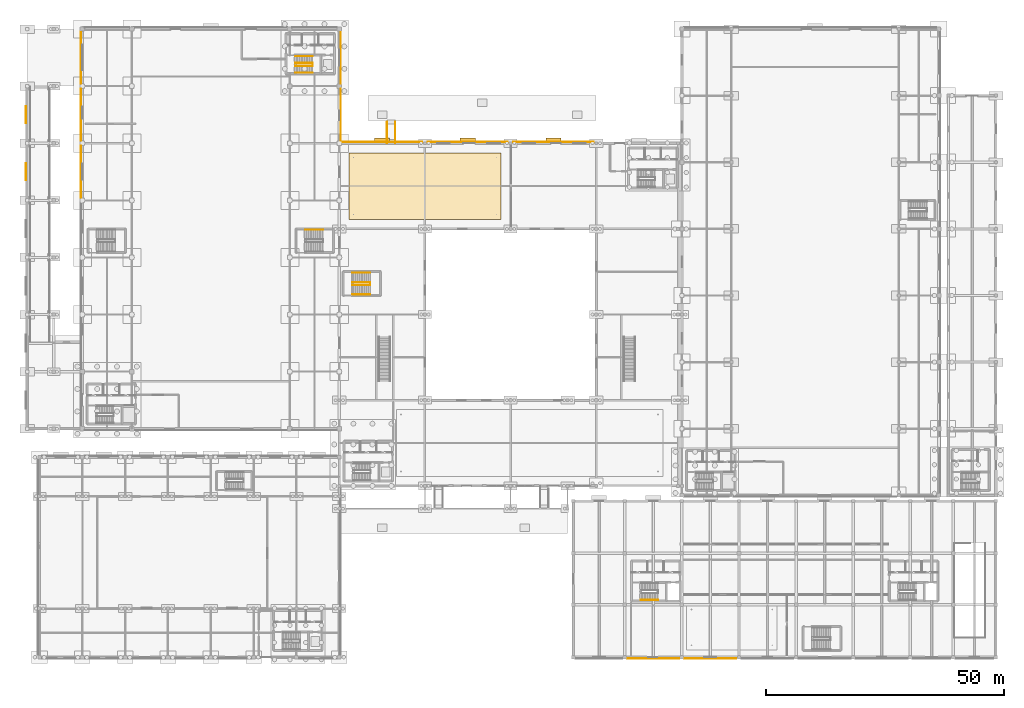
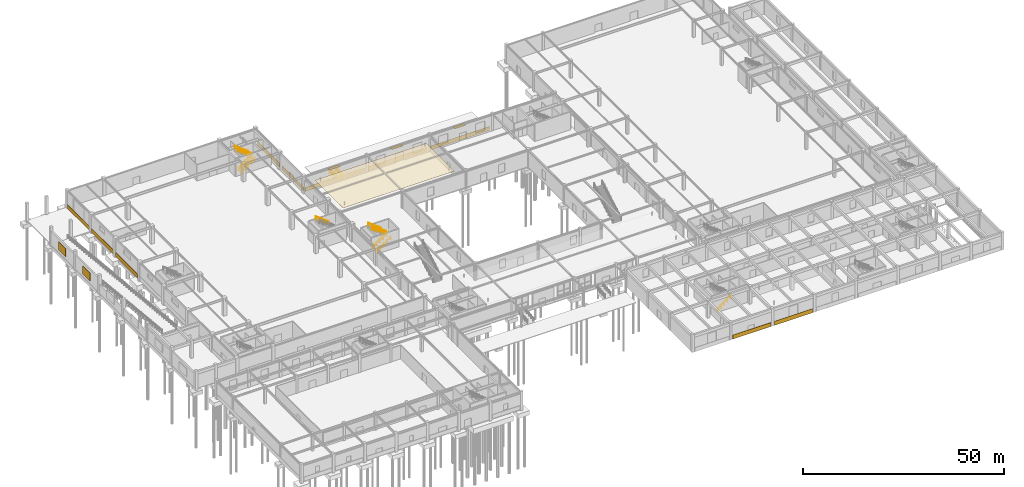
# One storey, part 50 of 53: 11 coverings, 10 railings, 5 shading devices.
"""IFC4 building model written with IfcOpenShell, lengths in metres."""

import ifcopenshell
import ifcopenshell.guid

model = None  # the IFC model being written
_history = None  # IfcOwnerHistory: only IFC2X3 demands one
_inside = {}  # id of a spatial element -> (the spatial element, [elements in it])
_under = {}  # id of a project, library or spatial element -> (it, [spatial elements below it])
_declared = {}  # id of a project -> (the project, [libraries it declares])
_typed = {}  # id of a type object -> (the type object, [elements of that type])
_made_of = {}  # id of a material, layer set ... -> (it, [elements and type objects made of it])


def new_model(schema):
    """Start an empty IFC model of exactly this schema.

    Asked for "IFC4X3", IfcOpenShell would pick the latest addendum, in which some entities
    have other attributes; the version numbers below select the first issue.
    IFC2X3 requires an IfcOwnerHistory on every rooted entity: one is made here for all.
    """
    global model, _history
    if schema == "IFC4X3":
        model = ifcopenshell.file(schema_version=(4, 3, 0, 0))
    else:
        model = ifcopenshell.file(schema=schema)
    _inside.clear()
    _under.clear()
    _declared.clear()
    _typed.clear()
    _made_of.clear()
    _history = None
    if model.schema == "IFC2X3":
        org = make("IfcOrganization", Name="unknown")
        user = make(
            "IfcPersonAndOrganization",
            ThePerson=make("IfcPerson", FamilyName="unknown"),
            TheOrganization=org,
        )
        app = make(
            "IfcApplication",
            ApplicationDeveloper=org,
            Version="unknown",
            ApplicationFullName="unknown",
            ApplicationIdentifier="unknown",
        )
        _history = make(
            "IfcOwnerHistory",
            OwningUser=user,
            OwningApplication=app,
            ChangeAction="ADDED",
            CreationDate=0,
        )
    return model


def make(cls, **values):
    """One entity of the class cls with the attributes given. An attribute that is None is left unset."""
    return model.create_entity(
        cls, **{name: value for name, value in values.items() if value is not None}
    )


def rooted(cls, **values):
    """An entity with a GlobalId (a new one), such as an element, a storey or a relation."""
    return make(cls, GlobalId=ifcopenshell.guid.new(), OwnerHistory=_history, **values)


def si_unit(unit_type, name, prefix=None):
    """IfcSIUnit, for example si_unit("LENGTHUNIT", "METRE", prefix="MILLI")."""
    return make("IfcSIUnit", UnitType=unit_type, Prefix=prefix, Name=name)


def derived_unit(unit_type, elements):
    """IfcDerivedUnit: a product of units, each with its exponent."""
    return make(
        "IfcDerivedUnit",
        Elements=[
            make("IfcDerivedUnitElement", Unit=unit, Exponent=power)
            for unit, power in elements
        ],
        UnitType=unit_type,
    )


def assignment(units):
    """IfcUnitAssignment: the units of a project."""
    return None if units is None else make("IfcUnitAssignment", Units=units)


def point(xyz):
    """IfcCartesianPoint."""
    return None if xyz is None else make("IfcCartesianPoint", Coordinates=xyz)


def direction(xyz):
    """IfcDirection."""
    return None if xyz is None else make("IfcDirection", DirectionRatios=xyz)


def frame(location, z_axis=None, x_axis=None):
    """IfcAxis2Placement3D, a coordinate frame: its origin and axes. An axis left out is left unset."""
    return make(
        "IfcAxis2Placement3D",
        Location=point(location),
        Axis=direction(z_axis),
        RefDirection=direction(x_axis),
    )


def frame_2d(location, x_axis=None):
    """IfcAxis2Placement2D, a coordinate frame in the plane: its origin and x axis."""
    return make(
        "IfcAxis2Placement2D", Location=point(location), RefDirection=direction(x_axis)
    )


def origin():
    """The frame at (0, 0, 0) with its axes left unset."""
    return frame((0.0, 0.0, 0.0))


def origin_2d():
    """The frame at (0, 0) in the plane with its x axis left unset."""
    return frame_2d((0.0, 0.0))


def place(relative_to, where):
    """IfcLocalPlacement: puts the frame where relative to a parent placement (None: the world)."""
    return make(
        "IfcLocalPlacement", PlacementRelTo=relative_to, RelativePlacement=where
    )


def context(
    kind, dimensions, precision=None, world=None, true_north=None, identifier=None
):
    """IfcGeometricRepresentationContext, for example the 3D "Model" context."""
    return make(
        "IfcGeometricRepresentationContext",
        ContextIdentifier=identifier,
        ContextType=kind,
        CoordinateSpaceDimension=dimensions,
        Precision=precision,
        WorldCoordinateSystem=world,
        TrueNorth=true_north,
    )


def subcontext(parent, identifier, kind, view, scale=None):
    """IfcGeometricRepresentationSubContext, for example "Body" below "Model"."""
    return make(
        "IfcGeometricRepresentationSubContext",
        ContextIdentifier=identifier,
        ContextType=kind,
        ParentContext=parent,
        TargetScale=scale,
        TargetView=view,
    )


def project(units=None, contexts=None):
    """IfcProject with its units and contexts."""
    return rooted(
        "IfcProject",
        Name="project",
        RepresentationContexts=contexts,
        UnitsInContext=assignment(units),
    )


def spatial(cls, under=None, at=None, **own):
    """A site, building, storey or space (cls), placed at a placement, below another one or the project."""
    s = rooted(cls, ObjectPlacement=at, **own)
    if under is not None:
        _under.setdefault(under.id(), (under, []))[1].append(s)
    return s


def polyline(points):
    """IfcPolyline through the points."""
    return make("IfcPolyline", Points=[point(p) for p in points])


def profile(cls, at=None, kind="AREA", **sizes):
    """A parametric profile (cls). Its sizes go by their IFC names, for example OverallWidth=200.0."""
    return make(cls, ProfileType=kind, Position=at, **sizes)


def rectangle(**sizes):
    """IfcRectangleProfileDef."""
    return profile("IfcRectangleProfileDef", **sizes)


def circle(**sizes):
    """IfcCircleProfileDef."""
    return profile("IfcCircleProfileDef", **sizes)


def outline(outer, holes=None, kind="AREA"):
    """IfcArbitraryClosedProfileDef: a profile drawn as a closed curve; with holes, ...WithVoids."""
    if holes is None:
        return make("IfcArbitraryClosedProfileDef", ProfileType=kind, OuterCurve=outer)
    return make(
        "IfcArbitraryProfileDefWithVoids",
        ProfileType=kind,
        OuterCurve=outer,
        InnerCurves=holes,
    )


def extrude(swept, where, along, depth):
    """IfcExtrudedAreaSolid: the profile swept, set in the frame where, extruded along a direction by depth."""
    return make(
        "IfcExtrudedAreaSolid",
        SweptArea=swept,
        Position=where,
        ExtrudedDirection=direction(along),
        Depth=depth,
    )


def shape(context_of_items, identifier, shape_type, items):
    """IfcShapeRepresentation: the items that make up one representation, for example the "Body"."""
    return make(
        "IfcShapeRepresentation",
        ContextOfItems=context_of_items,
        RepresentationIdentifier=identifier,
        RepresentationType=shape_type,
        Items=items,
    )


def material(Name=None, Category=None):
    """IfcMaterial."""
    return make("IfcMaterial", Name=Name, Category=Category)


def layer(
    of_material, thickness, ventilated=None, Name=None, Category=None, Priority=None
):
    """IfcMaterialLayer: one layer of a wall or slab, of a material (None: an air gap)."""
    return make(
        "IfcMaterialLayer",
        Material=of_material,
        LayerThickness=thickness,
        IsVentilated=ventilated,
        Name=Name,
        Category=Category,
        Priority=Priority,
    )


def layer_set(layers, Name=None):
    """IfcMaterialLayerSet."""
    return make("IfcMaterialLayerSet", MaterialLayers=layers, LayerSetName=Name)


def made_of(thing, what):
    """Note that an element or type object is made of a material, layer set ...; save() writes the relation."""
    if what is not None:
        _made_of.setdefault(what.id(), (what, []))[1].append(thing)
    return thing


def type_object(cls, material=None, **own):
    """A type object (cls), such as IfcWallType, which elements share."""
    return made_of(rooted(cls, **own), material)


def element(
    cls,
    number,
    at=None,
    inside=None,
    cuts=None,
    type_object=None,
    material=None,
    context=None,
    identifier="Body",
    shape_type=None,
    held_by="IfcProductDefinitionShape",
    body=None,
    shapes=None,
    **own,
):
    """One element of the class cls, such as IfcWall. Its Tag is "e" and its number.

    at: its placement. inside: the storey or other place that contains it. cuts: it is an
    opening in that element (IfcRelVoidsElement). A single representation is given by context,
    identifier, shape_type and body (its items); several are given by shapes. held_by: the class
    of the entity that holds the representations. save() writes the other relations.
    """
    e = rooted(cls, Tag="e%d" % number, ObjectPlacement=at, **own)
    if body is not None:
        shapes = [shape(context, identifier, shape_type, body)]
    if shapes is not None:
        e.Representation = make(held_by, Representations=shapes)
    if inside is not None:
        _inside.setdefault(inside.id(), (inside, []))[1].append(e)
    if cuts is not None:
        rooted(
            "IfcRelVoidsElement", RelatingBuildingElement=cuts, RelatedOpeningElement=e
        )
    if type_object is not None:
        _typed.setdefault(type_object.id(), (type_object, []))[1].append(e)
    return made_of(e, material)


def aggregate(whole, parts):
    """IfcRelAggregates: a whole, such as a stair, and the parts it consists of."""
    return rooted("IfcRelAggregates", RelatingObject=whole, RelatedObjects=parts)


def save(model, path):
    """Write the relations noted so far, then the file.

    IfcRelAggregates (storeys below a building ...), IfcRelContainedInSpatialStructure (elements
    in a storey), IfcRelDefinesByType, IfcRelAssociatesMaterial and IfcRelDeclares: one each for
    every whole, place, type object, material and project.
    """
    for whole, parts in _under.values():
        aggregate(whole, parts)
    for where, things in _inside.values():
        rooted(
            "IfcRelContainedInSpatialStructure",
            RelatedElements=things,
            RelatingStructure=where,
        )
    for kind, things in _typed.values():
        rooted("IfcRelDefinesByType", RelatedObjects=things, RelatingType=kind)
    for what, things in _made_of.values():
        rooted("IfcRelAssociatesMaterial", RelatedObjects=things, RelatingMaterial=what)
    for by, libraries in _declared.values():
        rooted("IfcRelDeclares", RelatingContext=by, RelatedDefinitions=libraries)
    model.write(path)


model = new_model("IFC4")

# Units and contexts
model_context = context("Model", 3, precision=1e-05, world=origin(), true_north=direction((0.0, 1.0)))
body_context = subcontext(model_context, "Body", "Model", "MODEL_VIEW")
ifc_project = project(units=[si_unit("LENGTHUNIT", "METRE"), si_unit("AREAUNIT", "SQUARE_METRE"), si_unit("VOLUMEUNIT", "CUBIC_METRE"), si_unit("PLANEANGLEUNIT", "RADIAN"), si_unit("MASSUNIT", "GRAM", prefix="KILO"), derived_unit("THERMALTRANSMITTANCEUNIT", [(si_unit("POWERUNIT", "WATT"), 1), (si_unit("LENGTHUNIT", "METRE"), -2), (si_unit("THERMODYNAMICTEMPERATUREUNIT", "KELVIN"), -1)])], contexts=[model_context])

# Site, building, storey
site_placement = place(None, origin())
site = spatial("IfcSite", under=ifc_project, at=site_placement, CompositionType="ELEMENT")
building_placement = place(site_placement, origin())
building = spatial("IfcBuilding", under=site, at=building_placement, Name="Almenara Railside Exhibition Hall", CompositionType="ELEMENT")
storey_placement = place(building_placement, origin())
storey = spatial("IfcBuildingStorey", under=building, at=storey_placement, Name="L00", CompositionType="ELEMENT", Elevation=0.0)

# Shading devices
ifc_material_1 = material(Name="Bronze-anodised acoustic aluminium louvre", Category="aluminium")
shading_device_type_1 = type_object("IfcShadingDeviceType", Name="Acoustic Ramp Ventilation Louvre Bank 3600x2400", PredefinedType="JALOUSIE", material=ifc_material_1)
for number, where, z_axis, x_axis, name in (
    (1, (0.132568359375, 102.0, 1.0), (0.0, 0.0, 1.0), (0.0, 1.0, 0.0), "Truck ramp acoustic louvre 0033"),
    (2, (0.132568359375, 114.0, 1.0), (0.0, 0.0, 1.0), (0.0, 1.0, 0.0), "Truck ramp acoustic louvre 0034"),
):
    element("IfcShadingDevice", number, at=place(storey_placement, frame(where, z_axis=z_axis, x_axis=x_axis)), inside=storey, type_object=shading_device_type_1, Name=name, PredefinedType="JALOUSIE", context=body_context, shape_type="SweptSolid", body=[
        extrude(rectangle(XDim=3.60009765625, YDim=0.14990234375, at=origin_2d()), origin(), (0.0, 0.0, 1.0), 2.39990234375),
    ])

# Covering
ifc_material_2 = material(Name="Perforated iroko acoustic timber ceiling", Category="wood")
ifc_layer_1 = layer(ifc_material_2, 0.0400390625, Name="Perforated iroko acoustic timber ceiling")
ifc_layer_set_1 = layer_set([ifc_layer_1], Name="Perforated iroko acoustic timber ceiling")
covering_type_1 = type_object("IfcCoveringType", Name="Acoustic Slatted Timber Ceiling 40mm", PredefinedType="CEILING", material=ifc_layer_set_1)
covering_placement = place(storey_placement, frame((0.0, 0.0, 4.260009765625)))
element("IfcCovering", 3, at=covering_placement, inside=storey, type_object=covering_type_1, Name="Acoustic timber ceiling 002", PredefinedType="CEILING", context=body_context, shape_type="SweptSolid", body=[
    extrude(outline(polyline([(68.0, 92.0), (100.0, 92.0), (100.0, 106.0), (68.0, 106.0), (68.0, 92.0)])), origin(), (0.0, 0.0, 1.0), 0.0400390625),
])

# Shading devices
ifc_material_3 = material(Name="Bronze-anodised aluminium solar brise-soleil", Category="aluminium")
shading_device_type_2 = type_object("IfcShadingDeviceType", Name="North Solar Brise-Soleil Hood 900mm", PredefinedType="USERDEFINED", material=ifc_material_3)
for number, where, z_axis, x_axis, name in (
    (4, (75.0, 108.675048828125, 3.91015625), (0.0, 0.0, 1.0), (-1.0, 0.0, 0.0), "Solar brise-soleil 0010"),
    (5, (93.0, 108.675048828125, 3.91015625), (0.0, 0.0, 1.0), (-1.0, 0.0, 0.0), "Solar brise-soleil 0011"),
    (6, (111.0, 108.675048828125, 3.91015625), (0.0, 0.0, 1.0), (-1.0, 0.0, 0.0), "Solar brise-soleil 0012"),
):
    element("IfcShadingDevice", number, at=place(storey_placement, frame(where, z_axis=z_axis, x_axis=x_axis)), inside=storey, type_object=shading_device_type_2, Name=name, ObjectType="BRISE_SOLEIL", PredefinedType="USERDEFINED", context=body_context, shape_type="SweptSolid", body=[
        extrude(rectangle(XDim=3.199951171875, YDim=0.89990234375, at=origin_2d()), origin(), (0.0, 0.0, 1.0), 0.139892578125),
    ])

# Coverings
ifc_material_4 = material(Name="Koppie quartzite dressed stone cladding", Category="masonry")
ifc_layer_2 = layer(ifc_material_4, 0.080078125, Name="Koppie quartzite dressed stone cladding")
ifc_layer_set_2 = layer_set([ifc_layer_2], Name="Koppie quartzite dressed stone cladding")
covering_type_2 = type_object("IfcCoveringType", Name="Rusticated Koppie Quartzite Plinth Cladding 80mm", PredefinedType="CLADDING", material=ifc_layer_set_2)
for number, where, z_axis, x_axis, name in (
    (7, (11.68994140625, 102.0, 0.0), (0.0, 0.0, 1.0), (0.0, -1.0, 0.0), "Stone plinth cladding 0005"),
    (8, (11.68994140625, 114.0, 0.0), (0.0, 0.0, 1.0), (0.0, -1.0, 0.0), "Stone plinth cladding 0006"),
    (9, (66.31005859375, 114.0, 0.0), (0.0, 0.0, 1.0), (0.0, 1.0, 0.0), "Stone plinth cladding 0007"),
    (10, (11.68994140625, 126.0, 0.0), (0.0, 0.0, 1.0), (0.0, -1.0, 0.0), "Stone plinth cladding 0008"),
    (11, (66.31005859375, 126.0, 0.0), (0.0, 0.0, 1.0), (0.0, 1.0, 0.0), "Stone plinth cladding 0009"),
):
    element("IfcCovering", number, at=place(storey_placement, frame(where, z_axis=z_axis, x_axis=x_axis)), inside=storey, type_object=covering_type_2, Name=name, PredefinedType="CLADDING", context=body_context, shape_type="SweptSolid", body=[
        extrude(rectangle(XDim=10.89990234375, YDim=0.080078125, at=origin_2d()), origin(), (0.0, 0.0, 1.0), 1.199951171875),
    ])
for number, where, z_axis, x_axis, name in (
    (12, (75.0, 108.264892578125, 0.0), (0.0, 0.0, 1.0), (-1.0, 0.0, 0.0), "Stone plinth cladding 0044"),
    (13, (93.0, 108.264892578125, 0.0), (0.0, 0.0, 1.0), (-1.0, 0.0, 0.0), "Stone plinth cladding 0045"),
    (14, (111.0, 108.264892578125, 0.0), (0.0, 0.0, 1.0), (-1.0, 0.0, 0.0), "Stone plinth cladding 0046"),
):
    element("IfcCovering", number, at=place(storey_placement, frame(where, z_axis=z_axis, x_axis=x_axis)), inside=storey, type_object=covering_type_2, Name=name, PredefinedType="CLADDING", context=body_context, shape_type="SweptSolid", body=[
        extrude(rectangle(XDim=16.89990234375, YDim=0.080078125, at=origin_2d()), origin(), (0.0, 0.0, 1.0), 1.199951171875),
    ])
for number, where, z_axis, x_axis, name in (
    (15, (132.0, -0.264892578125, 0.0), (0.0, 0.0, 1.0), (1.0, 0.0, 0.0), "Stone plinth cladding 0048"),
    (16, (144.0, -0.264892578125, 0.0), (0.0, 0.0, 1.0), (1.0, 0.0, 0.0), "Stone plinth cladding 0049"),
):
    element("IfcCovering", number, at=place(storey_placement, frame(where, z_axis=z_axis, x_axis=x_axis)), inside=storey, type_object=covering_type_2, Name=name, PredefinedType="CLADDING", context=body_context, shape_type="SweptSolid", body=[
        extrude(rectangle(XDim=10.89990234375, YDim=0.080078125, at=origin_2d()), origin(), (0.0, 0.0, 1.0), 1.199951171875),
    ])

# Railings
ifc_material_5 = material(Name="Bronze-finished tubular steel handrail", Category="steel")
railing_type_1 = type_object("IfcRailingType", Name="Stair Pitch Handrail 920mm", PredefinedType="HANDRAIL", material=ifc_material_5)
railing_1_placement = place(storey_placement, frame((56.75, 122.800048828125, 0.0)))
element("IfcRailing", 17, at=railing_1_placement, inside=storey, type_object=railing_type_1, Name="HR-L00-0009", PredefinedType="HANDRAIL", context=body_context, shape_type="SweptSolid", body=[
    extrude(circle(Radius=0.02392578125, at=origin_2d()), frame((0.0, 0.0, 0.89599609375), z_axis=(0.803944740431, 0.0, 0.594704005647), x_axis=(0.0, 1.0, 0.0)), (0.0, 0.0, 1.0), 4.5400390625),
    extrude(circle(Radius=0.02099609375, at=origin_2d()), origin(), (0.0, 0.0, 1.0), 0.871826171875),
    extrude(circle(Radius=0.02099609375, at=origin_2d()), frame((0.91259765625, 0.0, 0.675048828125)), (0.0, 0.0, 1.0), 0.871826171875),
    extrude(circle(Radius=0.02099609375, at=origin_2d()), frame((1.824951171875, 0.0, 1.35009765625)), (0.0, 0.0, 1.0), 0.871826171875),
    extrude(circle(Radius=0.02099609375, at=origin_2d()), frame((2.7373046875, 0.0, 2.02490234375)), (0.0, 0.0, 1.0), 0.871826171875),
    extrude(circle(Radius=0.02099609375, at=origin_2d()), frame((3.64990234375, 0.0, 2.699951171875)), (0.0, 0.0, 1.0), 0.871826171875),
])
railing_2_placement = place(storey_placement, frame((60.39990234375, 126.300048828125, 2.699951171875)))
element("IfcRailing", 18, at=railing_2_placement, inside=storey, type_object=railing_type_1, Name="HR-L00-0010", PredefinedType="HANDRAIL", context=body_context, shape_type="SweptSolid", body=[
    extrude(circle(Radius=0.02392578125, at=origin_2d()), frame((0.0, 0.0, 0.89599609375), z_axis=(-0.803944740431, 0.0, 0.594704005647), x_axis=(0.0, -1.0, 0.0)), (0.0, 0.0, 1.0), 4.5400390625),
    extrude(circle(Radius=0.02099609375, at=origin_2d()), origin(), (0.0, 0.0, 1.0), 0.871826171875),
    extrude(circle(Radius=0.02099609375, at=origin_2d()), frame((-0.91259765625, 0.0, 0.675048828125)), (0.0, 0.0, 1.0), 0.871826171875),
    extrude(circle(Radius=0.02099609375, at=origin_2d()), frame((-1.824951171875, 0.0, 1.35009765625)), (0.0, 0.0, 1.0), 0.871826171875),
    extrude(circle(Radius=0.02099609375, at=origin_2d()), frame((-2.7373046875, 0.0, 2.02490234375)), (0.0, 0.0, 1.0), 0.871826171875),
    extrude(circle(Radius=0.02099609375, at=origin_2d()), frame((-3.64990234375, 0.0, 2.699951171875)), (0.0, 0.0, 1.0), 0.871826171875),
])
railing_3_placement = place(storey_placement, frame((129.35009765625, 12.0, 0.0)))
element("IfcRailing", 19, at=railing_3_placement, inside=storey, type_object=railing_type_1, Name="HR-L00-0033", PredefinedType="HANDRAIL", context=body_context, shape_type="SweptSolid", body=[
    extrude(circle(Radius=0.02392578125, at=origin_2d()), frame((0.0, 0.0, 0.89599609375), z_axis=(0.803925720239, 0.0, 0.594729717046), x_axis=(0.0, 1.0, 0.0)), (0.0, 0.0, 1.0), 4.539794921875),
    extrude(circle(Radius=0.02099609375, at=origin_2d()), origin(), (0.0, 0.0, 1.0), 0.871826171875),
    extrude(circle(Radius=0.02099609375, at=origin_2d()), frame((0.912353515625, 0.0, 0.675048828125)), (0.0, 0.0, 1.0), 0.871826171875),
    extrude(circle(Radius=0.02099609375, at=origin_2d()), frame((1.82470703125, 0.0, 1.35009765625)), (0.0, 0.0, 1.0), 0.871826171875),
    extrude(circle(Radius=0.02099609375, at=origin_2d()), frame((2.7373046875, 0.0, 2.02490234375)), (0.0, 0.0, 1.0), 0.871826171875),
    extrude(circle(Radius=0.02099609375, at=origin_2d()), frame((3.649658203125, 0.0, 2.699951171875)), (0.0, 0.0, 1.0), 0.871826171875),
])
railing_4_placement = place(storey_placement, frame((62.6298828125, 89.800048828125, 2.699951171875)))
element("IfcRailing", 20, at=railing_4_placement, inside=storey, type_object=railing_type_1, Name="HR-L00-0094", PredefinedType="HANDRAIL", context=body_context, shape_type="SweptSolid", body=[
    extrude(circle(Radius=0.02392578125, at=origin_2d()), frame((0.0, 0.0, 0.89599609375), z_axis=(-0.813722817161, 0.0, 0.581253109094), x_axis=(0.0, -1.0, 0.0)), (0.0, 0.0, 1.0), 4.64501953125),
    extrude(circle(Radius=0.02099609375, at=origin_2d()), origin(), (0.0, 0.0, 1.0), 0.871826171875),
    extrude(circle(Radius=0.02099609375, at=origin_2d()), frame((-0.94482421875, 0.0, 0.675048828125)), (0.0, 0.0, 1.0), 0.871826171875),
    extrude(circle(Radius=0.02099609375, at=origin_2d()), frame((-1.889892578125, 0.0, 1.35009765625)), (0.0, 0.0, 1.0), 0.871826171875),
    extrude(circle(Radius=0.02099609375, at=origin_2d()), frame((-2.8349609375, 0.0, 2.02490234375)), (0.0, 0.0, 1.0), 0.871826171875),
    extrude(circle(Radius=0.02099609375, at=origin_2d()), frame((-3.77978515625, 0.0, 2.699951171875)), (0.0, 0.0, 1.0), 0.871826171875),
])
railing_5_placement = place(storey_placement, frame((68.75, 76.199951171875, 0.0)))
element("IfcRailing", 21, at=railing_5_placement, inside=storey, type_object=railing_type_1, Name="HR-L00-0101", PredefinedType="HANDRAIL", context=body_context, shape_type="SweptSolid", body=[
    extrude(circle(Radius=0.02392578125, at=origin_2d()), frame((0.0, 0.0, 0.89599609375), z_axis=(0.813740573448, 0.0, 0.581228250453), x_axis=(0.0, 1.0, 0.0)), (0.0, 0.0, 1.0), 4.645263671875),
    extrude(circle(Radius=0.02099609375, at=origin_2d()), origin(), (0.0, 0.0, 1.0), 0.871826171875),
    extrude(circle(Radius=0.02099609375, at=origin_2d()), frame((0.945068359375, 0.0, 0.675048828125)), (0.0, 0.0, 1.0), 0.871826171875),
    extrude(circle(Radius=0.02099609375, at=origin_2d()), frame((1.89013671875, 0.0, 1.35009765625)), (0.0, 0.0, 1.0), 0.871826171875),
    extrude(circle(Radius=0.02099609375, at=origin_2d()), frame((2.8349609375, 0.0, 2.02490234375)), (0.0, 0.0, 1.0), 0.871826171875),
    extrude(circle(Radius=0.02099609375, at=origin_2d()), frame((3.780029296875, 0.0, 2.699951171875)), (0.0, 0.0, 1.0), 0.871826171875),
])
railing_6_placement = place(storey_placement, frame((72.530029296875, 80.800048828125, 2.699951171875)))
element("IfcRailing", 22, at=railing_6_placement, inside=storey, type_object=railing_type_1, Name="HR-L00-0102", PredefinedType="HANDRAIL", context=body_context, shape_type="SweptSolid", body=[
    extrude(circle(Radius=0.02392578125, at=origin_2d()), frame((0.0, 0.0, 0.89599609375), z_axis=(-0.813740573448, 0.0, 0.581228250453), x_axis=(0.0, -1.0, 0.0)), (0.0, 0.0, 1.0), 4.645263671875),
    extrude(circle(Radius=0.02099609375, at=origin_2d()), origin(), (0.0, 0.0, 1.0), 0.871826171875),
    extrude(circle(Radius=0.02099609375, at=origin_2d()), frame((-0.945068359375, 0.0, 0.675048828125)), (0.0, 0.0, 1.0), 0.871826171875),
    extrude(circle(Radius=0.02099609375, at=origin_2d()), frame((-1.89013671875, 0.0, 1.35009765625)), (0.0, 0.0, 1.0), 0.871826171875),
    extrude(circle(Radius=0.02099609375, at=origin_2d()), frame((-2.8349609375, 0.0, 2.02490234375)), (0.0, 0.0, 1.0), 0.871826171875),
    extrude(circle(Radius=0.02099609375, at=origin_2d()), frame((-3.780029296875, 0.0, 2.699951171875)), (0.0, 0.0, 1.0), 0.871826171875),
])
ifc_material_6 = material(Name="Dark wrought-iron stair balustrade")
railing_type_2 = type_object("IfcRailingType", Name="Stair Well Guard Rail 1120mm", PredefinedType="BALUSTRADE", material=ifc_material_6)
railing_7_placement = place(storey_placement, frame((56.75, 124.22998046875, 0.0)))
element("IfcRailing", 23, at=railing_7_placement, inside=storey, type_object=railing_type_2, Name="SG-L00-0011", PredefinedType="BALUSTRADE", context=body_context, shape_type="SweptSolid", body=[
    extrude(circle(Radius=0.02392578125, at=origin_2d()), frame((0.0, 0.0, 1.09619140625), z_axis=(0.803944740431, 0.0, 0.594704005647), x_axis=(0.0, 1.0, 0.0)), (0.0, 0.0, 1.0), 4.5400390625),
    extrude(circle(Radius=0.01416015625, at=origin_2d()), frame((0.0, 0.0, 0.56005859375), z_axis=(0.803944740431, 0.0, 0.594704005647), x_axis=(0.0, 1.0, 0.0)), (0.0, 0.0, 1.0), 4.5400390625),
    extrude(circle(Radius=0.02392578125, at=origin_2d()), frame((3.64990234375, 0.0, 3.7958984375), z_axis=(0.0, 1.0, 0.0), x_axis=(-1.0, 0.0, 0.0)), (0.0, 0.0, 1.0), 0.64013671875),
    extrude(circle(Radius=0.01416015625, at=origin_2d()), frame((3.64990234375, 0.0, 3.260009765625), z_axis=(0.0, 1.0, 0.0), x_axis=(-1.0, 0.0, 0.0)), (0.0, 0.0, 1.0), 0.64013671875),
    extrude(circle(Radius=0.02392578125, at=origin_2d()), frame((3.64990234375, 0.64013671875, 3.7958984375), z_axis=(-0.803944740431, 0.0, 0.594704005647), x_axis=(0.0, -1.0, 0.0)), (0.0, 0.0, 1.0), 4.5400390625),
    extrude(circle(Radius=0.01416015625, at=origin_2d()), frame((3.64990234375, 0.64013671875, 3.260009765625), z_axis=(-0.803944740431, 0.0, 0.594704005647), x_axis=(0.0, -1.0, 0.0)), (0.0, 0.0, 1.0), 4.5400390625),
    extrude(circle(Radius=0.02099609375, at=origin_2d()), origin(), (0.0, 0.0, 1.0), 1.072021484375),
    extrude(circle(Radius=0.02099609375, at=origin_2d()), frame((0.91259765625, 0.0, 0.675048828125)), (0.0, 0.0, 1.0), 1.072021484375),
    extrude(circle(Radius=0.02099609375, at=origin_2d()), frame((1.824951171875, 0.0, 1.35009765625)), (0.0, 0.0, 1.0), 1.072021484375),
    extrude(circle(Radius=0.02099609375, at=origin_2d()), frame((2.7373046875, 0.0, 2.02490234375)), (0.0, 0.0, 1.0), 1.072021484375),
    extrude(circle(Radius=0.02099609375, at=origin_2d()), frame((3.64990234375, 0.0, 2.699951171875)), (0.0, 0.0, 1.0), 1.072021484375),
    extrude(circle(Radius=0.02099609375, at=origin_2d()), frame((3.64990234375, 0.64013671875, 2.699951171875)), (0.0, 0.0, 1.0), 1.072021484375),
    extrude(circle(Radius=0.02099609375, at=origin_2d()), frame((2.7373046875, 0.64013671875, 3.375)), (0.0, 0.0, 1.0), 1.072021484375),
    extrude(circle(Radius=0.02099609375, at=origin_2d()), frame((1.824951171875, 0.64013671875, 4.0498046875)), (0.0, 0.0, 1.0), 1.072021484375),
    extrude(circle(Radius=0.02099609375, at=origin_2d()), frame((0.91259765625, 0.64013671875, 4.724853515625)), (0.0, 0.0, 1.0), 1.072021484375),
    extrude(circle(Radius=0.02099609375, at=origin_2d()), frame((0.0, 0.64013671875, 5.39990234375)), (0.0, 0.0, 1.0), 1.072021484375),
])
railing_8_placement = place(storey_placement, frame((68.75, 78.2099609375, 0.0)))
element("IfcRailing", 24, at=railing_8_placement, inside=storey, type_object=railing_type_2, Name="SG-L00-0103", PredefinedType="BALUSTRADE", context=body_context, shape_type="SweptSolid", body=[
    extrude(circle(Radius=0.02392578125, at=origin_2d()), frame((0.0, 0.0, 1.09619140625), z_axis=(0.813740573448, 0.0, 0.581228250453), x_axis=(0.0, 1.0, 0.0)), (0.0, 0.0, 1.0), 4.645263671875),
    extrude(circle(Radius=0.01416015625, at=origin_2d()), frame((0.0, 0.0, 0.56005859375), z_axis=(0.813740573448, 0.0, 0.581228250453), x_axis=(0.0, 1.0, 0.0)), (0.0, 0.0, 1.0), 4.645263671875),
    extrude(circle(Radius=0.02392578125, at=origin_2d()), frame((3.780029296875, 0.0, 3.7958984375), z_axis=(0.0, 1.0, 0.0), x_axis=(-1.0, 0.0, 0.0)), (0.0, 0.0, 1.0), 0.580078125),
    extrude(circle(Radius=0.01416015625, at=origin_2d()), frame((3.780029296875, 0.0, 3.260009765625), z_axis=(0.0, 1.0, 0.0), x_axis=(-1.0, 0.0, 0.0)), (0.0, 0.0, 1.0), 0.580078125),
    extrude(circle(Radius=0.02392578125, at=origin_2d()), frame((3.780029296875, 0.580078125, 3.7958984375), z_axis=(-0.813740573448, 0.0, 0.581228250453), x_axis=(0.0, -1.0, 0.0)), (0.0, 0.0, 1.0), 4.645263671875),
    extrude(circle(Radius=0.01416015625, at=origin_2d()), frame((3.780029296875, 0.580078125, 3.260009765625), z_axis=(-0.813740573448, 0.0, 0.581228250453), x_axis=(0.0, -1.0, 0.0)), (0.0, 0.0, 1.0), 4.645263671875),
    extrude(circle(Radius=0.02099609375, at=origin_2d()), origin(), (0.0, 0.0, 1.0), 1.072021484375),
    extrude(circle(Radius=0.02099609375, at=origin_2d()), frame((0.945068359375, 0.0, 0.675048828125)), (0.0, 0.0, 1.0), 1.072021484375),
    extrude(circle(Radius=0.02099609375, at=origin_2d()), frame((1.89013671875, 0.0, 1.35009765625)), (0.0, 0.0, 1.0), 1.072021484375),
    extrude(circle(Radius=0.02099609375, at=origin_2d()), frame((2.8349609375, 0.0, 2.02490234375)), (0.0, 0.0, 1.0), 1.072021484375),
    extrude(circle(Radius=0.02099609375, at=origin_2d()), frame((3.780029296875, 0.0, 2.699951171875)), (0.0, 0.0, 1.0), 1.072021484375),
    extrude(circle(Radius=0.02099609375, at=origin_2d()), frame((3.780029296875, 0.580078125, 2.699951171875)), (0.0, 0.0, 1.0), 1.072021484375),
    extrude(circle(Radius=0.02099609375, at=origin_2d()), frame((2.8349609375, 0.580078125, 3.375)), (0.0, 0.0, 1.0), 1.072021484375),
    extrude(circle(Radius=0.02099609375, at=origin_2d()), frame((1.89013671875, 0.580078125, 4.0498046875)), (0.0, 0.0, 1.0), 1.072021484375),
    extrude(circle(Radius=0.02099609375, at=origin_2d()), frame((0.945068359375, 0.580078125, 4.724853515625)), (0.0, 0.0, 1.0), 1.072021484375),
    extrude(circle(Radius=0.02099609375, at=origin_2d()), frame((0.0, 0.580078125, 5.39990234375)), (0.0, 0.0, 1.0), 1.072021484375),
])
ifc_material_7 = material(Name="Dark wrought-iron architectural balustrade")
railing_type_3 = type_object("IfcRailingType", Name="Wrought-Iron Rejas Terrace Balustrade 1120mm", PredefinedType="BALUSTRADE", material=ifc_material_7)
for number, where, name in (
    (25, (76.050048828125, 112.449951171875, -0.3701171875), "Guard balustrade 0035"),
    (26, (77.75, 112.449951171875, -0.3701171875), "Guard balustrade 0036"),
):
    element("IfcRailing", number, at=place(storey_placement, frame(where)), inside=storey, type_object=railing_type_3, Name=name, PredefinedType="BALUSTRADE", context=body_context, shape_type="SweptSolid", body=[
        extrude(circle(Radius=0.02392578125, at=origin_2d()), frame((0.0, 0.0, 1.09619140625), z_axis=(0.0, -0.996554142978, 0.082944801602), x_axis=(1.0, 0.0, 0.0)), (0.0, 0.0, 1.0), 4.4150390625),
        extrude(circle(Radius=0.01416015625, at=origin_2d()), frame((0.0, 0.0, 0.56005859375), z_axis=(0.0, -0.996554142978, 0.082944801602), x_axis=(1.0, 0.0, 0.0)), (0.0, 0.0, 1.0), 4.4150390625),
        extrude(circle(Radius=0.02099609375, at=origin_2d()), origin(), (0.0, 0.0, 1.0), 1.072021484375),
        extrude(circle(Radius=0.02099609375, at=origin_2d()), frame((0.0, -1.10009765625, 0.091552734375)), (0.0, 0.0, 1.0), 1.072021484375),
        extrude(circle(Radius=0.02099609375, at=origin_2d()), frame((0.0, -2.199951171875, 0.18310546875)), (0.0, 0.0, 1.0), 1.072021484375),
        extrude(circle(Radius=0.02099609375, at=origin_2d()), frame((0.0, -3.2998046875, 0.274658203125)), (0.0, 0.0, 1.0), 1.072021484375),
        extrude(circle(Radius=0.02099609375, at=origin_2d()), frame((0.0, -4.39990234375, 0.3662109375)), (0.0, 0.0, 1.0), 1.072021484375),
    ])

save(model, "model.ifc")
